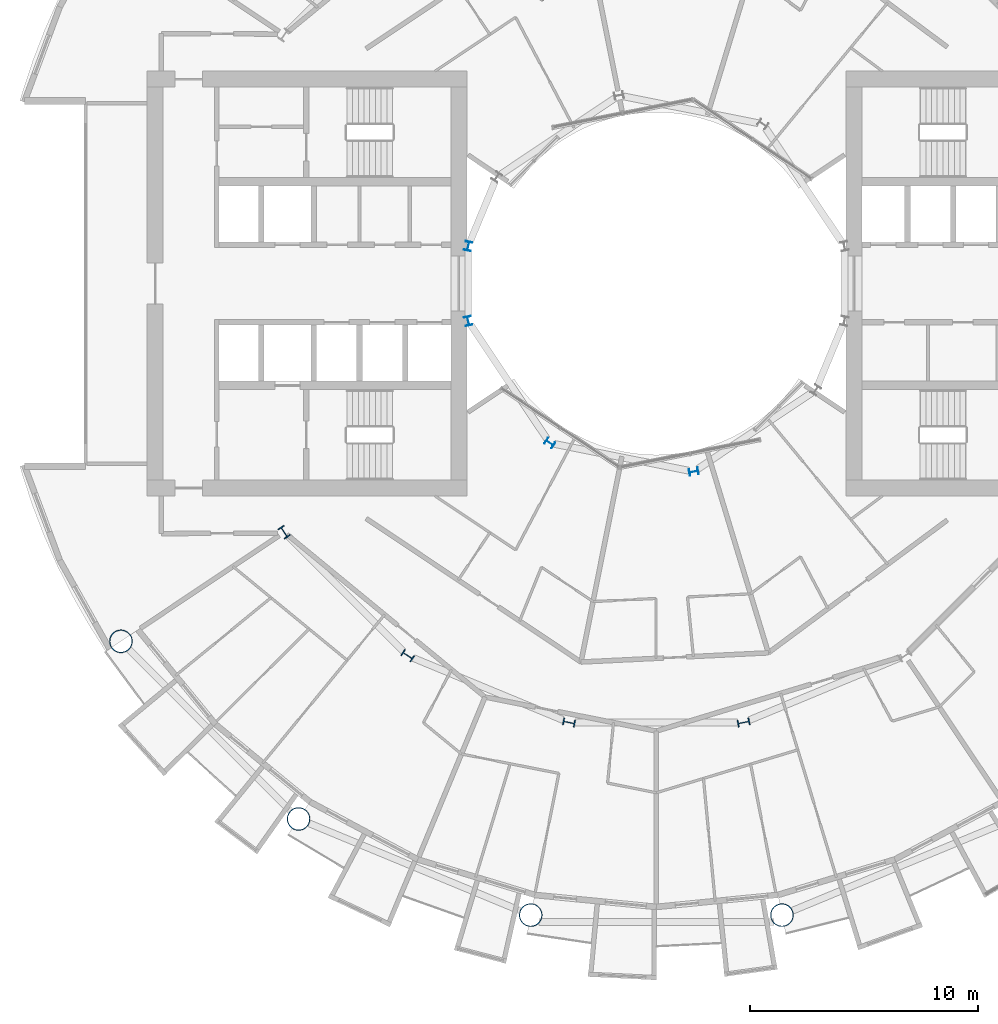
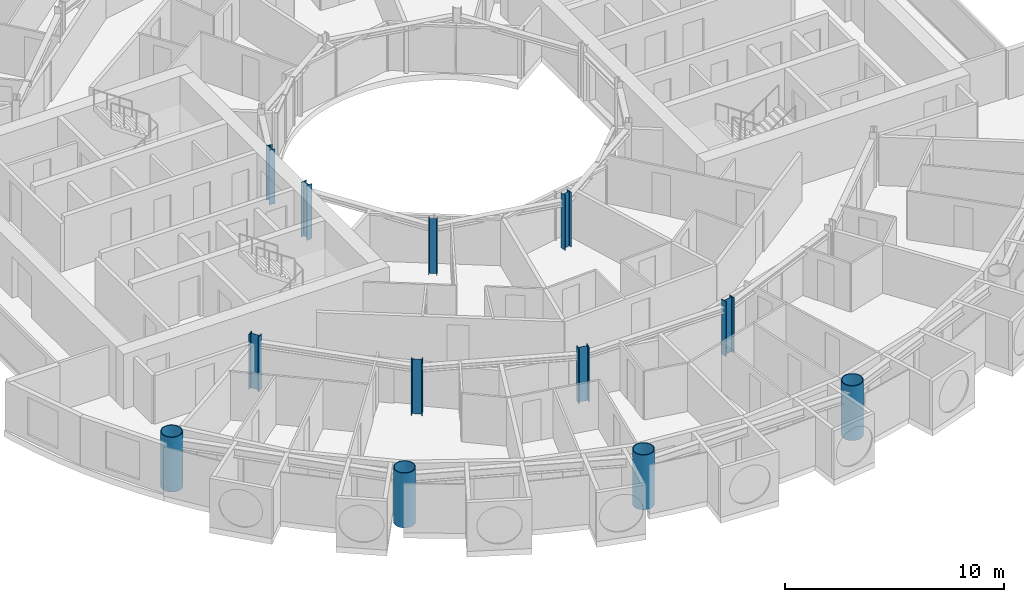
# One storey, part 1 of 26: 12 columns.
"""IFC4 building model written with IfcOpenShell, lengths in metres."""

import ifcopenshell
import ifcopenshell.guid

model = None  # the IFC model being written
_history = None  # IfcOwnerHistory: only IFC2X3 demands one
_inside = {}  # id of a spatial element -> (the spatial element, [elements in it])
_under = {}  # id of a project, library or spatial element -> (it, [spatial elements below it])
_declared = {}  # id of a project -> (the project, [libraries it declares])
_typed = {}  # id of a type object -> (the type object, [elements of that type])
_made_of = {}  # id of a material, layer set ... -> (it, [elements and type objects made of it])


def new_model(schema):
    """Start an empty IFC model of exactly this schema.

    Asked for "IFC4X3", IfcOpenShell would pick the latest addendum, in which some entities
    have other attributes; the version numbers below select the first issue.
    IFC2X3 requires an IfcOwnerHistory on every rooted entity: one is made here for all.
    """
    global model, _history
    if schema == "IFC4X3":
        model = ifcopenshell.file(schema_version=(4, 3, 0, 0))
    else:
        model = ifcopenshell.file(schema=schema)
    _inside.clear()
    _under.clear()
    _declared.clear()
    _typed.clear()
    _made_of.clear()
    _history = None
    if model.schema == "IFC2X3":
        org = make("IfcOrganization", Name="unknown")
        user = make(
            "IfcPersonAndOrganization",
            ThePerson=make("IfcPerson", FamilyName="unknown"),
            TheOrganization=org,
        )
        app = make(
            "IfcApplication",
            ApplicationDeveloper=org,
            Version="unknown",
            ApplicationFullName="unknown",
            ApplicationIdentifier="unknown",
        )
        _history = make(
            "IfcOwnerHistory",
            OwningUser=user,
            OwningApplication=app,
            ChangeAction="ADDED",
            CreationDate=0,
        )
    return model


def make(cls, **values):
    """One entity of the class cls with the attributes given. An attribute that is None is left unset."""
    return model.create_entity(
        cls, **{name: value for name, value in values.items() if value is not None}
    )


def rooted(cls, **values):
    """An entity with a GlobalId (a new one), such as an element, a storey or a relation."""
    return make(cls, GlobalId=ifcopenshell.guid.new(), OwnerHistory=_history, **values)


def si_unit(unit_type, name, prefix=None):
    """IfcSIUnit, for example si_unit("LENGTHUNIT", "METRE", prefix="MILLI")."""
    return make("IfcSIUnit", UnitType=unit_type, Prefix=prefix, Name=name)


def assignment(units):
    """IfcUnitAssignment: the units of a project."""
    return None if units is None else make("IfcUnitAssignment", Units=units)


def point(xyz):
    """IfcCartesianPoint."""
    return None if xyz is None else make("IfcCartesianPoint", Coordinates=xyz)


def direction(xyz):
    """IfcDirection."""
    return None if xyz is None else make("IfcDirection", DirectionRatios=xyz)


def frame(location, z_axis=None, x_axis=None):
    """IfcAxis2Placement3D, a coordinate frame: its origin and axes. An axis left out is left unset."""
    return make(
        "IfcAxis2Placement3D",
        Location=point(location),
        Axis=direction(z_axis),
        RefDirection=direction(x_axis),
    )


def frame_2d(location, x_axis=None):
    """IfcAxis2Placement2D, a coordinate frame in the plane: its origin and x axis."""
    return make(
        "IfcAxis2Placement2D", Location=point(location), RefDirection=direction(x_axis)
    )


def origin():
    """The frame at (0, 0, 0) with its axes left unset."""
    return frame((0.0, 0.0, 0.0))


def origin_2d():
    """The frame at (0, 0) in the plane with its x axis left unset."""
    return frame_2d((0.0, 0.0))


def place(relative_to, where):
    """IfcLocalPlacement: puts the frame where relative to a parent placement (None: the world)."""
    return make(
        "IfcLocalPlacement", PlacementRelTo=relative_to, RelativePlacement=where
    )


def context(
    kind, dimensions, precision=None, world=None, true_north=None, identifier=None
):
    """IfcGeometricRepresentationContext, for example the 3D "Model" context."""
    return make(
        "IfcGeometricRepresentationContext",
        ContextIdentifier=identifier,
        ContextType=kind,
        CoordinateSpaceDimension=dimensions,
        Precision=precision,
        WorldCoordinateSystem=world,
        TrueNorth=true_north,
    )


def subcontext(parent, identifier, kind, view, scale=None):
    """IfcGeometricRepresentationSubContext, for example "Body" below "Model"."""
    return make(
        "IfcGeometricRepresentationSubContext",
        ContextIdentifier=identifier,
        ContextType=kind,
        ParentContext=parent,
        TargetScale=scale,
        TargetView=view,
    )


def project(units=None, contexts=None):
    """IfcProject with its units and contexts."""
    return rooted(
        "IfcProject",
        Name="project",
        RepresentationContexts=contexts,
        UnitsInContext=assignment(units),
    )


def spatial(cls, under=None, at=None, **own):
    """A site, building, storey or space (cls), placed at a placement, below another one or the project."""
    s = rooted(cls, ObjectPlacement=at, **own)
    if under is not None:
        _under.setdefault(under.id(), (under, []))[1].append(s)
    return s


def profile(cls, at=None, kind="AREA", **sizes):
    """A parametric profile (cls). Its sizes go by their IFC names, for example OverallWidth=200.0."""
    return make(cls, ProfileType=kind, Position=at, **sizes)


def hollow_circle(**sizes):
    """IfcCircleHollowProfileDef."""
    return profile("IfcCircleHollowProfileDef", **sizes)


def i_section(**sizes):
    """IfcIShapeProfileDef."""
    return profile("IfcIShapeProfileDef", **sizes)


def extrude(swept, where, along, depth):
    """IfcExtrudedAreaSolid: the profile swept, set in the frame where, extruded along a direction by depth."""
    return make(
        "IfcExtrudedAreaSolid",
        SweptArea=swept,
        Position=where,
        ExtrudedDirection=direction(along),
        Depth=depth,
    )


def shape(context_of_items, identifier, shape_type, items):
    """IfcShapeRepresentation: the items that make up one representation, for example the "Body"."""
    return make(
        "IfcShapeRepresentation",
        ContextOfItems=context_of_items,
        RepresentationIdentifier=identifier,
        RepresentationType=shape_type,
        Items=items,
    )


def material(Name=None, Category=None):
    """IfcMaterial."""
    return make("IfcMaterial", Name=Name, Category=Category)


def material_profile(
    of_material, cross_section, Name=None, Category=None, Priority=None
):
    """IfcMaterialProfile: a cross section and its material."""
    return make(
        "IfcMaterialProfile",
        Name=Name,
        Material=of_material,
        Profile=cross_section,
        Priority=Priority,
        Category=Category,
    )


def profile_set(profiles, Name=None, composite=None):
    """IfcMaterialProfileSet."""
    return make(
        "IfcMaterialProfileSet",
        Name=Name,
        MaterialProfiles=profiles,
        CompositeProfile=composite,
    )


def made_of(thing, what):
    """Note that an element or type object is made of a material, layer set ...; save() writes the relation."""
    if what is not None:
        _made_of.setdefault(what.id(), (what, []))[1].append(thing)
    return thing


def type_object(cls, material=None, **own):
    """A type object (cls), such as IfcWallType, which elements share."""
    return made_of(rooted(cls, **own), material)


def element(
    cls,
    number,
    at=None,
    inside=None,
    cuts=None,
    type_object=None,
    material=None,
    context=None,
    identifier="Body",
    shape_type=None,
    held_by="IfcProductDefinitionShape",
    body=None,
    shapes=None,
    **own,
):
    """One element of the class cls, such as IfcWall. Its Tag is "e" and its number.

    at: its placement. inside: the storey or other place that contains it. cuts: it is an
    opening in that element (IfcRelVoidsElement). A single representation is given by context,
    identifier, shape_type and body (its items); several are given by shapes. held_by: the class
    of the entity that holds the representations. save() writes the other relations.
    """
    e = rooted(cls, Tag="e%d" % number, ObjectPlacement=at, **own)
    if body is not None:
        shapes = [shape(context, identifier, shape_type, body)]
    if shapes is not None:
        e.Representation = make(held_by, Representations=shapes)
    if inside is not None:
        _inside.setdefault(inside.id(), (inside, []))[1].append(e)
    if cuts is not None:
        rooted(
            "IfcRelVoidsElement", RelatingBuildingElement=cuts, RelatedOpeningElement=e
        )
    if type_object is not None:
        _typed.setdefault(type_object.id(), (type_object, []))[1].append(e)
    return made_of(e, material)


def aggregate(whole, parts):
    """IfcRelAggregates: a whole, such as a stair, and the parts it consists of."""
    return rooted("IfcRelAggregates", RelatingObject=whole, RelatedObjects=parts)


def save(model, path):
    """Write the relations noted so far, then the file.

    IfcRelAggregates (storeys below a building ...), IfcRelContainedInSpatialStructure (elements
    in a storey), IfcRelDefinesByType, IfcRelAssociatesMaterial and IfcRelDeclares: one each for
    every whole, place, type object, material and project.
    """
    for whole, parts in _under.values():
        aggregate(whole, parts)
    for where, things in _inside.values():
        rooted(
            "IfcRelContainedInSpatialStructure",
            RelatedElements=things,
            RelatingStructure=where,
        )
    for kind, things in _typed.values():
        rooted("IfcRelDefinesByType", RelatedObjects=things, RelatingType=kind)
    for what, things in _made_of.values():
        rooted("IfcRelAssociatesMaterial", RelatedObjects=things, RelatingMaterial=what)
    for by, libraries in _declared.values():
        rooted("IfcRelDeclares", RelatingContext=by, RelatedDefinitions=libraries)
    model.write(path)


model = new_model("IFC4")

# Units and contexts
model_context = context("Model", 3, precision=1e-05, world=origin(), true_north=direction((0.0, 1.0)))
body_context = subcontext(model_context, "Body", "Model", "MODEL_VIEW")
ifc_project = project(units=[si_unit("LENGTHUNIT", "METRE"), si_unit("AREAUNIT", "SQUARE_METRE"), si_unit("VOLUMEUNIT", "CUBIC_METRE"), si_unit("PLANEANGLEUNIT", "RADIAN"), si_unit("MASSUNIT", "GRAM", prefix="KILO")], contexts=[model_context])

# Site, building, storey
site_placement = place(None, origin())
site = spatial("IfcSite", under=ifc_project, at=site_placement, CompositionType="ELEMENT")
building_placement = place(site_placement, origin())
building = spatial("IfcBuilding", under=site, at=building_placement, Name="Maasbend Ring Residences", CompositionType="ELEMENT")
storey_placement = place(building_placement, frame((0.0, 0.0, 88.0)))
storey = spatial("IfcBuildingStorey", under=building, at=storey_placement, Name="L25", CompositionType="ELEMENT", Elevation=88.0)

# Columns
ifc_material_1 = material(Name="Composite concrete-filled steel tube S460NH / C80/95", Category="concrete")
ifc_material_profile_1 = material_profile(ifc_material_1, hollow_circle(Radius=0.508056640625, WallThickness=0.0400390625, at=origin_2d()), Name="Composite tube column CHS 1016x40")
ifc_profile_set_1 = profile_set([ifc_material_profile_1], Name="Composite concrete-filled steel tube S460NH / C80/95")
column_type_1 = type_object("IfcColumnType", Name="Composite tube column CHS 1016x40", PredefinedType="COLUMN", material=ifc_profile_set_1)
for number, where, z_axis, x_axis, name in (
    (1, (-23.447509765625, -15.6669921875, 0.0), (0.0, 0.0, 1.0), (1.0, 0.0, 0.0), "Outer column R10"),
    (2, (-15.6669921875, -23.447509765625, 0.0), (0.0, 0.0, 1.0), (1.0, 0.0, 0.0), "Outer column R11"),
    (3, (-5.50146484375, -27.658203125, 0.0), (0.0, 0.0, 1.0), (1.0, 0.0, 0.0), "Outer column R12"),
    (4, (5.50146484375, -27.658203125, 0.0), (0.0, 0.0, 1.0), (1.0, 0.0, 0.0), "Outer column R13"),
):
    element("IfcColumn", number, at=place(storey_placement, frame(where, z_axis=z_axis, x_axis=x_axis)), inside=storey, type_object=column_type_1, Name=name, PredefinedType="COLUMN", context=body_context, shape_type="SweptSolid", body=[
        extrude(hollow_circle(Radius=0.508056640625, WallThickness=0.0400390625, at=origin_2d()), origin(), (0.0, 0.0, 1.0), 3.050048828125),
    ])
ifc_material_2 = material(Name="Steel S355J2", Category="steel")
ifc_material_profile_2 = material_profile(ifc_material_2, i_section(OverallWidth=0.300048828125, OverallDepth=0.39990234375, WebThickness=0.013427734375, FlangeThickness=0.02392578125, FilletRadius=0.027099609375, at=origin_2d()), Name="HEB 400")
ifc_profile_set_2 = profile_set([ifc_material_profile_2], Name="Steel S355J2")
column_type_2 = type_object("IfcColumnType", Name="Steel column HEB 400", PredefinedType="COLUMN", material=ifc_profile_set_2)
for number, where, z_axis, x_axis, name in (
    (5, (-8.238525390625, 1.638916015625, 0.0), (0.0, 0.0, 1.0), (-0.980785280403, 0.195090322016, 0.0), "Well ring column R8"),
    (6, (-8.238525390625, -1.638916015625, 0.0), (0.0, 0.0, 1.0), (-0.980785280403, -0.195090322016, 0.0), "Well ring column R9"),
    (7, (-4.666748046875, -6.984375, 0.0), (0.0, 0.0, 1.0), (-0.55557023302, -0.831469612303, 0.0), "Well ring column R11"),
    (8, (1.638916015625, -8.238525390625, 0.0), (0.0, 0.0, 1.0), (0.195090322016, -0.980785280403, 0.0), "Well ring column R13"),
):
    element("IfcColumn", number, at=place(storey_placement, frame(where, z_axis=z_axis, x_axis=x_axis)), inside=storey, type_object=column_type_2, Name=name, PredefinedType="COLUMN", context=body_context, shape_type="SweptSolid", body=[
        extrude(i_section(OverallWidth=0.300048828125, OverallDepth=0.39990234375, WebThickness=0.013427734375, FlangeThickness=0.02392578125, FilletRadius=0.027099609375, at=origin_2d()), origin(), (0.0, 0.0, 1.0), 3.050048828125),
    ])
ifc_material_3 = material(Name="Steel S460M", Category="steel")
ifc_material_profile_3 = material_profile(ifc_material_3, i_section(OverallWidth=0.305908203125, OverallDepth=0.52392578125, WebThickness=0.02099609375, FlangeThickness=0.0400390625, FilletRadius=0.027099609375, at=origin_2d()), Name="HEM 500")
ifc_profile_set_3 = profile_set([ifc_material_profile_3], Name="Steel S460M")
column_type_3 = type_object("IfcColumnType", Name="Steel column HEM 500", PredefinedType="COLUMN", material=ifc_profile_set_3)
for number, where, z_axis, x_axis, name in (
    (9, (-16.296875, -10.88916015625, 0.0), (0.0, 0.0, 1.0), (-0.831469612303, -0.55557023302, 0.0), "Corridor ring column R10"),
    (10, (-10.88916015625, -16.296875, 0.0), (0.0, 0.0, 1.0), (-0.55557023302, -0.831469612303, 0.0), "Corridor ring column R11"),
    (11, (-3.82373046875, -19.223388671875, 0.0), (0.0, 0.0, 1.0), (-0.195090322016, -0.980785280403, 0.0), "Corridor ring column R12"),
    (12, (3.82373046875, -19.223388671875, 0.0), (0.0, 0.0, 1.0), (0.195090322016, -0.980785280403, 0.0), "Corridor ring column R13"),
):
    element("IfcColumn", number, at=place(storey_placement, frame(where, z_axis=z_axis, x_axis=x_axis)), inside=storey, type_object=column_type_3, Name=name, PredefinedType="COLUMN", context=body_context, shape_type="SweptSolid", body=[
        extrude(i_section(OverallWidth=0.305908203125, OverallDepth=0.52392578125, WebThickness=0.02099609375, FlangeThickness=0.0400390625, FilletRadius=0.027099609375, at=origin_2d()), origin(), (0.0, 0.0, 1.0), 3.050048828125),
    ])

save(model, "model.ifc")
